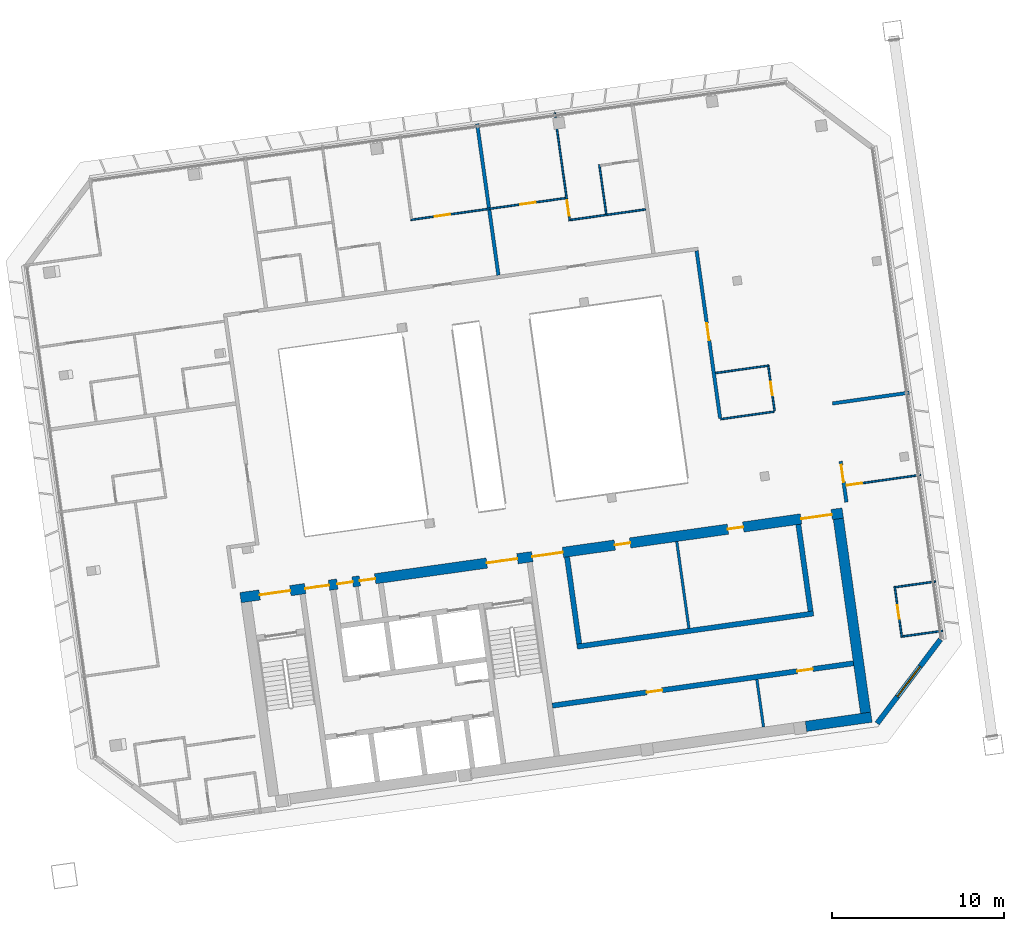
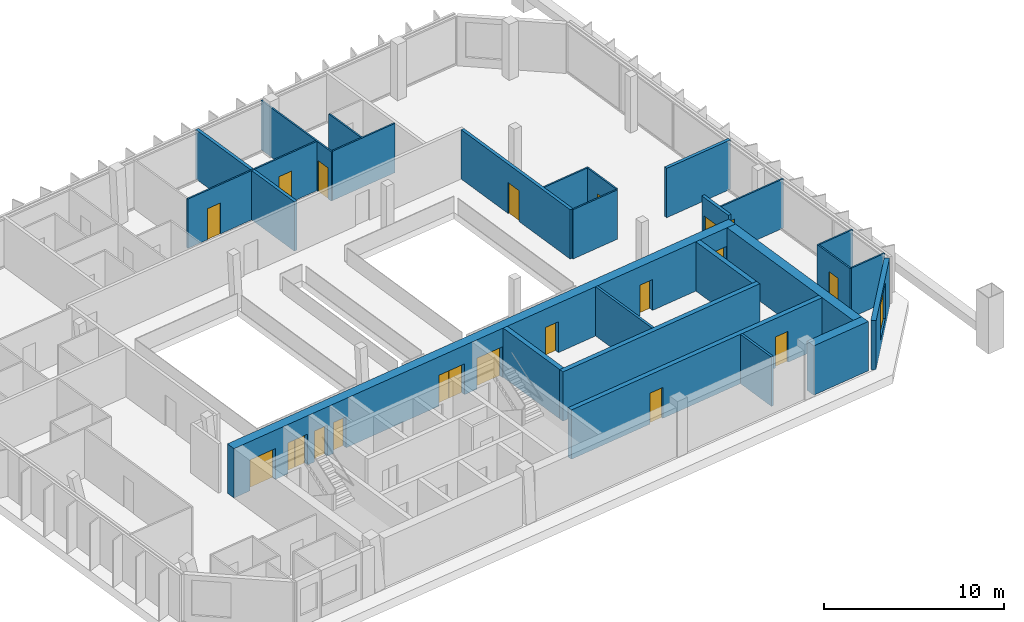
# One storey, part 20 of 26: 25 walls, 19 doors, 1 window, 20 openings.
"""IFC4 building model written with IfcOpenShell, lengths in metres."""

from ifc_helpers import new_model, si_unit, direction, frame, frame_2d, origin, place, context, subcontext, project, spatial, rectangle, extrude, material, layer, layer_set, type_object, element, fill, save


model = new_model("IFC4")

# Units and contexts
model_context = context("Model", 3, precision=1e-05, world=origin(), true_north=direction((0.0, 1.0)))
body_context = subcontext(model_context, "Body", "Model", "MODEL_VIEW")
ifc_project = project(units=[si_unit("LENGTHUNIT", "METRE"), si_unit("AREAUNIT", "SQUARE_METRE"), si_unit("VOLUMEUNIT", "CUBIC_METRE"), si_unit("PLANEANGLEUNIT", "RADIAN"), si_unit("MASSUNIT", "GRAM", prefix="KILO")], contexts=[model_context])

# Site, building, storey
site_placement = place(None, origin())
site = spatial("IfcSite", under=ifc_project, at=site_placement, CompositionType="ELEMENT")
building_placement = place(site_placement, origin())
building = spatial("IfcBuilding", under=site, at=building_placement, Name="Mirante Cascada Hotel Towers", CompositionType="ELEMENT")
storey_placement = place(building_placement, frame((0.0, 0.0, 216.6)))
storey = spatial("IfcBuildingStorey", under=building, at=storey_placement, Name="L51", CompositionType="ELEMENT", Elevation=216.6)

# Walls
ifc_material_1 = material(Name="Fire-rated plasterboard on metal studs")
ifc_layer_1 = layer(ifc_material_1, 0.2)
ifc_layer_set_1 = layer_set([ifc_layer_1], Name="Compartment wall 200 EI 120")
wall_type_1 = type_object("IfcWallType", Name="Compartment wall 200 EI 120", PredefinedType="PARTITIONING", material=ifc_layer_set_1)
wall_1_placement = place(storey_placement, frame((70.1059, 3.6365, 0.0), z_axis=(0.0, 0.0, 1.0), x_axis=(0.9902674, 0.1391779, 0.0)))
element("IfcWall", 1, at=wall_1_placement, inside=storey, type_object=wall_type_1, Name="Wall 2-L51-12", PredefinedType="PARTITIONING", context=body_context, shape_type="SweptSolid", body=[
    extrude(rectangle(XDim=4.5, YDim=0.2, at=frame_2d((2.25, 0.0))), origin(), (0.0, 0.0, 1.0), 3.35),
])
wall_2_placement = place(storey_placement, frame((50.6572, 11.1024, 0.0), z_axis=(0.0, 0.0, 1.0), x_axis=(-0.1391684, 0.9902687, 0.0)))
element("IfcWall", 2, at=wall_2_placement, inside=storey, type_object=wall_type_1, Name="Wall 2-L51-48", PredefinedType="PARTITIONING", context=body_context, shape_type="SweptSolid", body=[
    extrude(rectangle(XDim=8.9, YDim=0.2, at=frame_2d((4.45, 0.0))), origin(), (0.0, 0.0, 1.0), 3.35),
])

# Wall, opening, door
wall_3_placement = place(storey_placement, frame((63.5631, 2.7675, 0.0), z_axis=(0.0, 0.0, 1.0), x_axis=(-0.1391682, 0.9902688, 0.0)))
wall_3 = element("IfcWall", 3, at=wall_3_placement, inside=storey, type_object=wall_type_1, Name="Wall 2-L51-52", PredefinedType="PARTITIONING", context=body_context, shape_type="SweptSolid", body=[
    extrude(rectangle(XDim=9.85, YDim=0.2, at=frame_2d((4.925, 0.0))), origin(), (0.0, 0.0, 1.0), 3.35),
])
opening_1_placement = place(wall_3_placement, frame((4.6, 0.0, 0.0)))
opening_1 = element("IfcOpeningElement", 4, at=opening_1_placement, cuts=wall_3, Name="Opening D2-L51-26", PredefinedType="OPENING", context=body_context, shape_type="SweptSolid", body=[
    extrude(rectangle(XDim=1.0, YDim=2.1, at=frame_2d((0.5, 1.05))), frame((0.0, 0.1, 0.0), z_axis=(0.0, -1.0, 0.0), x_axis=(1.0, 0.0, 0.0)), (0.0, 0.0, 1.0), 0.2),
])
ifc_material_2 = material(Name="Fire-rated timber door leaf", Category="wood")
door_type_1 = type_object("IfcDoorType", Name="Entrance door DG1 1000x2100 EI 60", OperationType="SINGLE_SWING_LEFT", PredefinedType="DOOR", material=ifc_material_2)
door_1_placement = place(opening_1_placement, frame((1.0, 0.0, 0.0), z_axis=(0.0, 0.0, 1.0), x_axis=(-1.0, 0.0, 0.0)))
door_1 = element("IfcDoor", 5, at=door_1_placement, inside=storey, type_object=door_type_1, Name="Door D2-L51-26", OperationType="SINGLE_SWING_RIGHT", OverallHeight=2.1, OverallWidth=1.0, PredefinedType="DOOR", context=body_context, shape_type="SweptSolid", body=[
    extrude(rectangle(XDim=1.0, YDim=2.1, at=frame_2d((0.5, 1.05))), frame((0.0, 0.025, 0.0), z_axis=(0.0, -1.0, 0.0), x_axis=(1.0, 0.0, 0.0)), (0.0, 0.0, 1.0), 0.05),
])
fill(opening_1, door_1)

wall_4_placement = place(storey_placement, frame((70.9131, -2.107, 0.0), z_axis=(0.0, 0.0, 1.0), x_axis=(-0.1392101, 0.9902629, 0.0)))
wall_4 = element("IfcWall", 6, at=wall_4_placement, inside=storey, type_object=wall_type_1, Name="Wall 2-L51-54", PredefinedType="PARTITIONING", context=body_context, shape_type="SweptSolid", body=[
    extrude(rectangle(XDim=2.4, YDim=0.2, at=frame_2d((1.2, 0.0))), origin(), (0.0, 0.0, 1.0), 3.35),
])
opening_2_placement = place(wall_4_placement, frame((1.1833, 0.0, 0.0)))
opening_2 = element("IfcOpeningElement", 7, at=opening_2_placement, cuts=wall_4, Name="Opening D2-L51-28", PredefinedType="OPENING", context=body_context, shape_type="SweptSolid", body=[
    extrude(rectangle(XDim=1.0, YDim=2.1, at=frame_2d((0.5, 1.05))), frame((0.0, 0.1, 0.0), z_axis=(0.0, -1.0, 0.0), x_axis=(1.0, 0.0, 0.0)), (0.0, 0.0, 1.0), 0.2),
])
door_2_placement = place(opening_2_placement, frame((1.0, 0.0, 0.0), z_axis=(0.0, 0.0, 1.0), x_axis=(-1.0, 0.0, 0.0)))
door_2 = element("IfcDoor", 8, at=door_2_placement, inside=storey, type_object=door_type_1, Name="Door D2-L51-28", OperationType="SINGLE_SWING_RIGHT", OverallHeight=2.1, OverallWidth=1.0, PredefinedType="DOOR", context=body_context, shape_type="SweptSolid", body=[
    extrude(rectangle(XDim=1.0, YDim=2.1, at=frame_2d((0.5, 1.05))), frame((0.0, 0.025, 0.0), z_axis=(0.0, -1.0, 0.0), x_axis=(1.0, 0.0, 0.0)), (0.0, 0.0, 1.0), 0.05),
])
fill(opening_2, door_2)

# Walls
ifc_material_3 = material(Name="Masonry block", Category="masonry")
ifc_layer_2 = layer(ifc_material_3, 0.15)
ifc_layer_set_2 = layer_set([ifc_layer_2], Name="Core room partition 150 block EI 30")
wall_type_2 = type_object("IfcWallType", Name="Core room partition 150 block EI 30", PredefinedType="PARTITIONING", material=ifc_layer_set_2)
wall_5_placement = place(storey_placement, frame((66.0891, -15.2059, 0.0), z_axis=(0.0, 0.0, 1.0), x_axis=(-0.139176, 0.9902677, 0.0)))
element("IfcWall", 9, at=wall_5_placement, inside=storey, type_object=wall_type_2, Name="Core wall partition T2 L51 6", PredefinedType="PARTITIONING", context=body_context, shape_type="SweptSolid", body=[
    extrude(rectangle(XDim=2.8001, YDim=0.15, at=frame_2d((1.4, 0.0))), origin(), (0.0, 0.0, 1.0), 3.35),
])
wall_6_placement = place(storey_placement, frame((61.7464, -9.4543, 0.0), z_axis=(0.0, 0.0, 1.0), x_axis=(-0.1391755, 0.9902677, 0.0)))
element("IfcWall", 10, at=wall_6_placement, inside=storey, type_object=wall_type_2, Name="Core wall partition T2 L51 7", PredefinedType="PARTITIONING", context=body_context, shape_type="SweptSolid", body=[
    extrude(rectangle(XDim=5.1, YDim=0.15, at=frame_2d((2.55, 0.0))), origin(), (0.0, 0.0, 1.0), 3.35),
])

# Wall, openings, doors
ifc_material_4 = material(Name="Masonry block", Category="masonry")
ifc_layer_3 = layer(ifc_material_4, 0.3)
ifc_layer_set_3 = layer_set([ifc_layer_3], Name="Core wall 300 block EI 120")
wall_type_3 = type_object("IfcWallType", Name="Core wall 300 block EI 120", PredefinedType="PARTITIONING", material=ifc_layer_set_3)
wall_7_placement = place(storey_placement, frame((53.7953, -13.9547, 0.0), z_axis=(0.0, 0.0, 1.0), x_axis=(0.9902678, 0.1391747, 0.0)))
wall_7 = element("IfcWall", 11, at=wall_7_placement, inside=storey, type_object=wall_type_3, Name="Core wall partition T2 L51 5", PredefinedType="PARTITIONING", context=body_context, shape_type="SweptSolid", body=[
    extrude(rectangle(XDim=17.7001, YDim=0.3, at=frame_2d((8.85, 0.0))), origin(), (0.0, 0.0, 1.0), 3.35),
])
opening_3_placement = place(wall_7_placement, frame((5.55, 0.0, 0.0)))
opening_3 = element("IfcOpeningElement", 12, at=opening_3_placement, cuts=wall_7, Name="Opening D2-51-C18", PredefinedType="OPENING", context=body_context, shape_type="SweptSolid", body=[
    extrude(rectangle(XDim=0.9, YDim=2.1, at=frame_2d((0.45, 1.05))), frame((0.0, 0.15, 0.0), z_axis=(0.0, -1.0, 0.0), x_axis=(1.0, 0.0, 0.0)), (0.0, 0.0, 1.0), 0.3),
])
opening_4_placement = place(wall_7_placement, frame((14.4, 0.0, 0.0)))
opening_4 = element("IfcOpeningElement", 13, at=opening_4_placement, cuts=wall_7, Name="Opening D2-51-C19", PredefinedType="OPENING", context=body_context, shape_type="SweptSolid", body=[
    extrude(rectangle(XDim=0.9, YDim=2.1, at=frame_2d((0.45, 1.05))), frame((0.0, 0.15, 0.0), z_axis=(0.0, -1.0, 0.0), x_axis=(1.0, 0.0, 0.0)), (0.0, 0.0, 1.0), 0.3),
])
ifc_material_5 = material(Name="Hollow metal fire door leaf")
door_type_2 = type_object("IfcDoorType", Name="Fire door 900x2100 FD60", OperationType="NOTDEFINED", PredefinedType="DOOR", material=ifc_material_5)
door_3_placement = place(opening_3_placement, frame((0.9, 0.0, 0.0), z_axis=(0.0, 0.0, 1.0), x_axis=(-1.0, 0.0, 0.0)))
door_3 = element("IfcDoor", 14, at=door_3_placement, inside=storey, type_object=door_type_2, Name="Room door T2 L51 18", OperationType="SINGLE_SWING_LEFT", OverallHeight=2.1, OverallWidth=0.9, PredefinedType="DOOR", context=body_context, shape_type="SweptSolid", body=[
    extrude(rectangle(XDim=0.9, YDim=2.1, at=frame_2d((0.45, 1.05))), frame((0.0, 0.025, 0.0), z_axis=(0.0, -1.0, 0.0), x_axis=(1.0, 0.0, 0.0)), (0.0, 0.0, 1.0), 0.05),
])
fill(opening_3, door_3)
door_4_placement = place(opening_4_placement, frame((0.9, 0.0, 0.0), z_axis=(0.0, 0.0, 1.0), x_axis=(-1.0, 0.0, 0.0)))
door_4 = element("IfcDoor", 15, at=door_4_placement, inside=storey, type_object=door_type_2, Name="Room door T2 L51 19", OperationType="SINGLE_SWING_RIGHT", OverallHeight=2.1, OverallWidth=0.9, PredefinedType="DOOR", context=body_context, shape_type="SweptSolid", body=[
    extrude(rectangle(XDim=0.9, YDim=2.1, at=frame_2d((0.45, 1.05))), frame((0.0, 0.025, 0.0), z_axis=(0.0, -1.0, 0.0), x_axis=(1.0, 0.0, 0.0)), (0.0, 0.0, 1.0), 0.05),
])
fill(opening_4, door_4)

# Walls
ifc_material_6 = material(Name="Plasterboard on metal studs")
ifc_layer_4 = layer(ifc_material_6, 0.1)
ifc_layer_set_4 = layer_set([ifc_layer_4], Name="Partition 100")
wall_type_4 = type_object("IfcWallType", Name="Partition 100", PredefinedType="PARTITIONING", material=ifc_layer_set_4)
for number, where, z_axis, x_axis, name in (
    (16, (76.5105, -9.601, 0.0), (0.0, 0.0, 1.0), (-0.9902712, -0.1391512, 0.0), "Wall 2-L51-05"),
    (17, (73.7798, -7.0562, 0.0), (0.0, 0.0, 1.0), (0.9902712, 0.1391512, 0.0), "Wall 2-L51-06"),
):
    element("IfcWall", number, at=place(storey_placement, frame(where, z_axis=z_axis, x_axis=x_axis)), inside=storey, type_object=wall_type_4, Name=name, PredefinedType="PARTITIONING", context=body_context, shape_type="SweptSolid", body=[
        extrude(rectangle(XDim=2.35, YDim=0.1, at=frame_2d((1.175, 0.0))), origin(), (0.0, 0.0, 1.0), 3.35),
    ])

# Wall, opening, door
wall_8_placement = place(storey_placement, frame((70.8775, -1.1358, 0.0), z_axis=(0.0, 0.0, 1.0), x_axis=(0.9902701, 0.1391587, 0.0)))
wall_8 = element("IfcWall", 18, at=wall_8_placement, inside=storey, type_object=wall_type_4, Name="Wall 2-L51-08", PredefinedType="PARTITIONING", context=body_context, shape_type="SweptSolid", body=[
    extrude(rectangle(XDim=4.4, YDim=0.1, at=frame_2d((2.2, 0.0))), origin(), (0.0, 0.0, 1.0), 3.35),
])
opening_5_placement = place(wall_8_placement, frame((0.05, 0.0, 0.0)))
opening_5 = element("IfcOpeningElement", 19, at=opening_5_placement, cuts=wall_8, Name="Opening D2-L51-03", PredefinedType="OPENING", context=body_context, shape_type="SweptSolid", body=[
    extrude(rectangle(XDim=0.9, YDim=2.1, at=frame_2d((0.45, 1.05))), frame((0.0, 0.05, 0.0), z_axis=(0.0, -1.0, 0.0), x_axis=(1.0, 0.0, 0.0)), (0.0, 0.0, 1.0), 0.1),
])
ifc_material_7 = material(Name="Timber door leaf", Category="wood")
door_type_3 = type_object("IfcDoorType", Name="Room door DG3 900x2100", OperationType="SINGLE_SWING_LEFT", PredefinedType="DOOR", material=ifc_material_7)
door_5_placement = place(opening_5_placement, frame((0.9, 0.0, 0.0), z_axis=(0.0, 0.0, 1.0), x_axis=(-1.0, 0.0, 0.0)))
door_5 = element("IfcDoor", 20, at=door_5_placement, inside=storey, type_object=door_type_3, Name="Door D2-L51-03", OperationType="SINGLE_SWING_RIGHT", OverallHeight=2.1, OverallWidth=0.9, PredefinedType="DOOR", context=body_context, shape_type="SweptSolid", body=[
    extrude(rectangle(XDim=0.9, YDim=2.1, at=frame_2d((0.45, 1.05))), frame((0.0, 0.025, 0.0), z_axis=(0.0, -1.0, 0.0), x_axis=(1.0, 0.0, 0.0)), (0.0, 0.0, 1.0), 0.05),
])
fill(opening_5, door_5)

# Walls
wall_9_placement = place(storey_placement, frame((66.7092, 3.1591, 0.0), z_axis=(0.0, 0.0, 1.0), x_axis=(-0.990268, -0.1391738, 0.0)))
element("IfcWall", 21, at=wall_9_placement, inside=storey, type_object=wall_type_4, Name="Wall 2-L51-11", PredefinedType="PARTITIONING", context=body_context, shape_type="SweptSolid", body=[
    extrude(rectangle(XDim=3.14, YDim=0.1, at=frame_2d((1.57, 0.0))), origin(), (0.0, 0.0, 1.0), 3.35),
])
wall_10_placement = place(storey_placement, frame((63.2933, 5.4056, 0.0), z_axis=(0.0, 0.0, 1.0), x_axis=(0.9902682, 0.1391721, 0.0)))
element("IfcWall", 22, at=wall_10_placement, inside=storey, type_object=wall_type_4, Name="Wall 2-L51-14", PredefinedType="PARTITIONING", context=body_context, shape_type="SweptSolid", body=[
    extrude(rectangle(XDim=3.1501, YDim=0.1, at=frame_2d((1.575, 0.0))), origin(), (0.0, 0.0, 1.0), 3.35),
])
wall_11_placement = place(storey_placement, frame((54.8557, 14.318, 0.0), z_axis=(0.0, 0.0, 1.0), x_axis=(0.990267, 0.1391804, 0.0)))
element("IfcWall", 23, at=wall_11_placement, inside=storey, type_object=wall_type_4, Name="Wall 2-L51-20", PredefinedType="PARTITIONING", context=body_context, shape_type="SweptSolid", body=[
    extrude(rectangle(XDim=4.4051, YDim=0.1, at=frame_2d((2.2026, 0.0))), origin(), (0.0, 0.0, 1.0), 3.35),
])

# Wall, openings, doors
wall_12_placement = place(storey_placement, frame((54.5757, 15.5915, 0.0), z_axis=(0.0, 0.0, 1.0), x_axis=(-0.9902677, -0.1391758, 0.0)))
wall_12 = element("IfcWall", 24, at=wall_12_placement, inside=storey, type_object=wall_type_4, Name="Wall 2-L51-23", PredefinedType="PARTITIONING", context=body_context, shape_type="SweptSolid", body=[
    extrude(rectangle(XDim=9.1101, YDim=0.1, at=frame_2d((4.555, 0.0))), origin(), (0.0, 0.0, 1.0), 3.35),
])
opening_6_placement = place(wall_12_placement, frame((6.8051, 0.0, 0.0)))
opening_6 = element("IfcOpeningElement", 25, at=opening_6_placement, cuts=wall_12, Name="Opening D2-L51-11", PredefinedType="OPENING", context=body_context, shape_type="SweptSolid", body=[
    extrude(rectangle(XDim=0.9, YDim=2.1, at=frame_2d((0.45, 1.05))), frame((0.0, 0.05, 0.0), z_axis=(0.0, -1.0, 0.0), x_axis=(1.0, 0.0, 0.0)), (0.0, 0.0, 1.0), 0.1),
])
opening_7_placement = place(wall_12_placement, frame((1.7775, 0.0, 0.0)))
opening_7 = element("IfcOpeningElement", 26, at=opening_7_placement, cuts=wall_12, Name="Opening D2-L51-12", PredefinedType="OPENING", context=body_context, shape_type="SweptSolid", body=[
    extrude(rectangle(XDim=0.9, YDim=2.1, at=frame_2d((0.45, 1.05))), frame((0.0, 0.05, 0.0), z_axis=(0.0, -1.0, 0.0), x_axis=(1.0, 0.0, 0.0)), (0.0, 0.0, 1.0), 0.1),
])
door_6_placement = place(opening_6_placement, frame((0.9, 0.0, 0.0), z_axis=(0.0, 0.0, 1.0), x_axis=(-1.0, 0.0, 0.0)))
door_6 = element("IfcDoor", 27, at=door_6_placement, inside=storey, type_object=door_type_3, Name="Door D2-L51-11", OperationType="SINGLE_SWING_RIGHT", OverallHeight=2.1, OverallWidth=0.9, PredefinedType="DOOR", context=body_context, shape_type="SweptSolid", body=[
    extrude(rectangle(XDim=0.9, YDim=2.1, at=frame_2d((0.45, 1.05))), frame((0.0, 0.025, 0.0), z_axis=(0.0, -1.0, 0.0), x_axis=(1.0, 0.0, 0.0)), (0.0, 0.0, 1.0), 0.05),
])
fill(opening_6, door_6)
door_7_placement = place(opening_7_placement, origin())
door_7 = element("IfcDoor", 28, at=door_7_placement, inside=storey, type_object=door_type_3, Name="Door D2-L51-12", OperationType="SINGLE_SWING_LEFT", OverallHeight=2.1, OverallWidth=0.9, PredefinedType="DOOR", context=body_context, shape_type="SweptSolid", body=[
    extrude(rectangle(XDim=0.9, YDim=2.1, at=frame_2d((0.45, 1.05))), frame((0.0, 0.025, 0.0), z_axis=(0.0, -1.0, 0.0), x_axis=(1.0, 0.0, 0.0)), (0.0, 0.0, 1.0), 0.05),
])
fill(opening_7, door_7)

# Wall, opening, door
wall_13_placement = place(storey_placement, frame((53.9294, 20.5498, 0.0), z_axis=(0.0, 0.0, 1.0), x_axis=(0.1391656, -0.9902691, 0.0)))
wall_13 = element("IfcWall", 29, at=wall_13_placement, inside=storey, type_object=wall_type_4, Name="Wall 2-L51-49", PredefinedType="PARTITIONING", context=body_context, shape_type="SweptSolid", body=[
    extrude(rectangle(XDim=6.35, YDim=0.1, at=frame_2d((3.175, 0.0))), origin(), (0.0, 0.0, 1.0), 3.35),
])
opening_8_placement = place(wall_13_placement, frame((5.15, 0.0, 0.0)))
opening_8 = element("IfcOpeningElement", 30, at=opening_8_placement, cuts=wall_13, Name="Opening D2-L51-25", PredefinedType="OPENING", context=body_context, shape_type="SweptSolid", body=[
    extrude(rectangle(XDim=0.9, YDim=2.1, at=frame_2d((0.45, 1.05))), frame((0.0, 0.05, 0.0), z_axis=(0.0, -1.0, 0.0), x_axis=(1.0, 0.0, 0.0)), (0.0, 0.0, 1.0), 0.1),
])
door_8_placement = place(opening_8_placement, frame((0.9, 0.0, 0.0), z_axis=(0.0, 0.0, 1.0), x_axis=(-1.0, 0.0, 0.0)))
door_8 = element("IfcDoor", 31, at=door_8_placement, inside=storey, type_object=door_type_3, Name="Door D2-L51-25", OperationType="SINGLE_SWING_RIGHT", OverallHeight=2.1, OverallWidth=0.9, PredefinedType="DOOR", context=body_context, shape_type="SweptSolid", body=[
    extrude(rectangle(XDim=0.9, YDim=2.1, at=frame_2d((0.45, 1.05))), frame((0.0, 0.025, 0.0), z_axis=(0.0, -1.0, 0.0), x_axis=(1.0, 0.0, 0.0)), (0.0, 0.0, 1.0), 0.05),
])
fill(opening_8, door_8)

# Wall
wall_14_placement = place(storey_placement, frame((56.9333, 14.6605, 0.0), z_axis=(0.0, 0.0, 1.0), x_axis=(-0.1391714, 0.9902683, 0.0)))
element("IfcWall", 32, at=wall_14_placement, inside=storey, type_object=wall_type_4, Name="Wall 2-L51-50", PredefinedType="PARTITIONING", context=body_context, shape_type="SweptSolid", body=[
    extrude(rectangle(XDim=2.9, YDim=0.1, at=frame_2d((1.45, 0.0))), origin(), (0.0, 0.0, 1.0), 3.35),
])

# Wall, opening, door
wall_15_placement = place(storey_placement, frame((66.3701, 5.7875, 0.0), z_axis=(0.0, 0.0, 1.0), x_axis=(0.1391918, -0.9902654, 0.0)))
wall_15 = element("IfcWall", 33, at=wall_15_placement, inside=storey, type_object=wall_type_4, Name="Wall 2-L51-53", PredefinedType="PARTITIONING", context=body_context, shape_type="SweptSolid", body=[
    extrude(rectangle(XDim=2.6, YDim=0.1, at=frame_2d((1.3, 0.0))), origin(), (0.0, 0.0, 1.0), 3.35),
])
opening_9_placement = place(wall_15_placement, frame((0.9, 0.0, 0.0)))
opening_9 = element("IfcOpeningElement", 34, at=opening_9_placement, cuts=wall_15, Name="Opening D2-L51-27", PredefinedType="OPENING", context=body_context, shape_type="SweptSolid", body=[
    extrude(rectangle(XDim=0.8, YDim=2.1, at=frame_2d((0.4, 1.05))), frame((0.0, 0.05, 0.0), z_axis=(0.0, -1.0, 0.0), x_axis=(1.0, 0.0, 0.0)), (0.0, 0.0, 1.0), 0.1),
])
ifc_material_8 = material(Name="Timber door leaf", Category="wood")
door_type_4 = type_object("IfcDoorType", Name="Bathroom door DG4 800x2100", OperationType="SINGLE_SWING_LEFT", PredefinedType="DOOR", material=ifc_material_8)
door_9_placement = place(opening_9_placement, origin())
door_9 = element("IfcDoor", 35, at=door_9_placement, inside=storey, type_object=door_type_4, Name="Door D2-L51-27", OperationType="SINGLE_SWING_LEFT", OverallHeight=2.1, OverallWidth=0.8, PredefinedType="DOOR", context=body_context, shape_type="SweptSolid", body=[
    extrude(rectangle(XDim=0.8, YDim=2.1, at=frame_2d((0.4, 1.05))), frame((0.0, 0.025, 0.0), z_axis=(0.0, -1.0, 0.0), x_axis=(1.0, 0.0, 0.0)), (0.0, 0.0, 1.0), 0.05),
])
fill(opening_9, door_9)

wall_16_placement = place(storey_placement, frame((73.7233, -7.0137, 0.0), z_axis=(0.0, 0.0, 1.0), x_axis=(0.139167, -0.9902689, 0.0)))
wall_16 = element("IfcWall", 36, at=wall_16_placement, inside=storey, type_object=wall_type_4, Name="Wall 2-L51-55", PredefinedType="PARTITIONING", context=body_context, shape_type="SweptSolid", body=[
    extrude(rectangle(XDim=3.0, YDim=0.1, at=frame_2d((1.5, 0.0))), origin(), (0.0, 0.0, 1.0), 3.35),
])
opening_10_placement = place(wall_16_placement, frame((1.1, 0.0, 0.0)))
opening_10 = element("IfcOpeningElement", 37, at=opening_10_placement, cuts=wall_16, Name="Opening D2-L51-29", PredefinedType="OPENING", context=body_context, shape_type="SweptSolid", body=[
    extrude(rectangle(XDim=0.8, YDim=2.1, at=frame_2d((0.4, 1.05))), frame((0.0, 0.05, 0.0), z_axis=(0.0, -1.0, 0.0), x_axis=(1.0, 0.0, 0.0)), (0.0, 0.0, 1.0), 0.1),
])
door_10_placement = place(opening_10_placement, frame((0.8, 0.0, 0.0), z_axis=(0.0, 0.0, 1.0), x_axis=(-1.0, 0.0, 0.0)))
door_10 = element("IfcDoor", 38, at=door_10_placement, inside=storey, type_object=door_type_4, Name="Door D2-L51-29", OperationType="SINGLE_SWING_RIGHT", OverallHeight=2.1, OverallWidth=0.8, PredefinedType="DOOR", context=body_context, shape_type="SweptSolid", body=[
    extrude(rectangle(XDim=0.8, YDim=2.1, at=frame_2d((0.4, 1.05))), frame((0.0, 0.025, 0.0), z_axis=(0.0, -1.0, 0.0), x_axis=(1.0, 0.0, 0.0)), (0.0, 0.0, 1.0), 0.05),
])
fill(opening_10, door_10)

# Wall, opening, window
ifc_material_9 = material(Name="Precast concrete C40/50", Category="concrete")
ifc_layer_5 = layer(ifc_material_9, 0.3)
ifc_layer_set_5 = layer_set([ifc_layer_5], Name="Precast concrete C40/50 cladding wall 300")
wall_type_5 = type_object("IfcWallType", Name="Precast concrete C40/50 cladding wall 300", PredefinedType="STANDARD", material=ifc_layer_set_5)
wall_17_placement = place(storey_placement, frame((72.7051, -14.9892, 0.0), z_axis=(0.0, 0.0, 1.0), x_axis=(0.6018141, 0.7986362, 0.0)))
wall_17 = element("IfcWall", 39, at=wall_17_placement, inside=storey, type_object=wall_type_5, Name="Corner cladding wall T2 L51 rear outer", PredefinedType="STANDARD", context=body_context, shape_type="SweptSolid", body=[
    extrude(rectangle(XDim=6.1157, YDim=0.3, at=frame_2d((3.0578, 0.0))), origin(), (0.0, 0.0, 1.0), 3.35),
])
opening_11_placement = place(wall_17_placement, frame((1.9578, 0.0, 0.6)))
opening_11 = element("IfcOpeningElement", 40, at=opening_11_placement, cuts=wall_17, Name="Opening W2-51-02", PredefinedType="OPENING", context=body_context, shape_type="SweptSolid", body=[
    extrude(rectangle(XDim=2.2, YDim=2.4, at=frame_2d((1.1, 1.2))), frame((0.0, 0.15, 0.0), z_axis=(0.0, -1.0, 0.0), x_axis=(1.0, 0.0, 0.0)), (0.0, 0.0, 1.0), 0.3),
])
ifc_material_10 = material(Name="Aluminium frame with clear double glazing", Category="aluminium")
window_type = type_object("IfcWindowType", Name="Corner suite window 2200x2400", PartitioningType="DOUBLE_PANEL_VERTICAL", PredefinedType="WINDOW", material=ifc_material_10)
window_placement = place(opening_11_placement, origin())
window = element("IfcWindow", 41, at=window_placement, inside=storey, type_object=window_type, Name="Window W2-51-02", OverallHeight=2.4, OverallWidth=2.2, PartitioningType="SINGLE_PANEL", PredefinedType="WINDOW", context=body_context, shape_type="SweptSolid", body=[
    extrude(rectangle(XDim=2.2, YDim=2.4, at=frame_2d((1.1, 1.2))), frame((0.0, 0.03, 0.0), z_axis=(0.0, -1.0, 0.0), x_axis=(1.0, 0.0, 0.0)), (0.0, 0.0, 1.0), 0.06),
])
fill(opening_11, window)

# Walls
ifc_material_11 = material(Name="Concrete C50/60", Category="concrete")
ifc_layer_6 = layer(ifc_material_11, 0.3)
ifc_layer_set_6 = layer_set([ifc_layer_6], Name="RC core wall 300 C50/60")
wall_type_6 = type_object("IfcWallType", Name="RC core wall 300 C50/60", PredefinedType="SHEAR", material=ifc_layer_set_6)
wall_18_placement = place(storey_placement, frame((55.2315, -10.5214, 0.0), z_axis=(0.0, 0.0, 1.0), x_axis=(0.9902681, 0.1391729, 0.0)))
element("IfcWall", 42, at=wall_18_placement, inside=storey, type_object=wall_type_6, Name="Core wall T2:L51:25", PredefinedType="SHEAR", context=body_context, shape_type="SweptSolid", body=[
    extrude(rectangle(XDim=13.9, YDim=0.3, at=frame_2d((6.95, 0.0))), origin(), (0.0, 0.0, 1.0), 3.35),
])
for number, where, z_axis, x_axis, name in (
    (43, (55.3592, -10.352, 0.0), (0.0, 0.0, 1.0), (-0.1391755, 0.9902677, 0.0), "Core wall T2:L51:26"),
    (44, (68.8268, -8.4592, 0.0), (0.0, 0.0, 1.0), (-0.1391755, 0.9902677, 0.0), "Core wall T2:L51:27"),
):
    element("IfcWall", number, at=place(storey_placement, frame(where, z_axis=z_axis, x_axis=x_axis)), inside=storey, type_object=wall_type_6, Name=name, PredefinedType="SHEAR", context=body_context, shape_type="SweptSolid", body=[
        extrude(rectangle(XDim=5.1, YDim=0.3, at=frame_2d((2.55, 0.0))), origin(), (0.0, 0.0, 1.0), 3.35),
    ])
ifc_material_12 = material(Name="Concrete C50/60", Category="concrete")
ifc_layer_7 = layer(ifc_material_12, 0.6)
ifc_layer_set_7 = layer_set([ifc_layer_7], Name="RC core wall 600 C50/60")
wall_type_7 = type_object("IfcWallType", Name="RC core wall 600 C50/60", PredefinedType="SHEAR", material=ifc_layer_set_7)
wall_19_placement = place(storey_placement, frame((68.557, -15.162, 0.0), z_axis=(0.0, 0.0, 1.0), x_axis=(0.990269, 0.1391665, 0.0)))
element("IfcWall", 45, at=wall_19_placement, inside=storey, type_object=wall_type_7, Name="Core wall T2:L51:1.4", PredefinedType="SHEAR", context=body_context, shape_type="SweptSolid", body=[
    extrude(rectangle(XDim=3.8501, YDim=0.6, at=frame_2d((1.925, 0.0))), origin(), (0.0, 0.0, 1.0), 3.35),
])

# Wall, openings, doors
wall_20_placement = place(storey_placement, frame((35.644, -7.6697, 0.0), z_axis=(0.0, 0.0, 1.0), x_axis=(0.9902682, 0.1391723, 0.0)))
wall_20 = element("IfcWall", 46, at=wall_20_placement, inside=storey, type_object=wall_type_7, Name="Core wall T2:L51:2", PredefinedType="SHEAR", context=body_context, shape_type="SweptSolid", body=[
    extrude(rectangle(XDim=35.4, YDim=0.6, at=frame_2d((17.7, 0.0))), origin(), (0.0, 0.0, 1.0), 3.35),
])
opening_12_placement = place(wall_20_placement, frame((1.125, 0.0, 0.0)))
opening_12 = element("IfcOpeningElement", 47, at=opening_12_placement, cuts=wall_20, Name="Opening D2-51-C08", PredefinedType="OPENING", context=body_context, shape_type="SweptSolid", body=[
    extrude(rectangle(XDim=1.8, YDim=2.1, at=frame_2d((0.9, 1.05))), frame((0.0, 0.3, 0.0), z_axis=(0.0, -1.0, 0.0), x_axis=(1.0, 0.0, 0.0)), (0.0, 0.0, 1.0), 0.6),
])
opening_13_placement = place(wall_20_placement, frame((14.475, 0.0, 0.0)))
opening_13 = element("IfcOpeningElement", 48, at=opening_13_placement, cuts=wall_20, Name="Opening D2-51-C10", PredefinedType="OPENING", context=body_context, shape_type="SweptSolid", body=[
    extrude(rectangle(XDim=1.8, YDim=2.1, at=frame_2d((0.9, 1.05))), frame((0.0, 0.3, 0.0), z_axis=(0.0, -1.0, 0.0), x_axis=(1.0, 0.0, 0.0)), (0.0, 0.0, 1.0), 0.6),
])
opening_14_placement = place(wall_20_placement, frame((3.8, 0.0, 0.0)))
opening_14 = element("IfcOpeningElement", 49, at=opening_14_placement, cuts=wall_20, Name="Opening D2-51-C11", PredefinedType="OPENING", context=body_context, shape_type="SweptSolid", body=[
    extrude(rectangle(XDim=1.4, YDim=2.1, at=frame_2d((0.7, 1.05))), frame((0.0, 0.3, 0.0), z_axis=(0.0, -1.0, 0.0), x_axis=(1.0, 0.0, 0.0)), (0.0, 0.0, 1.0), 0.6),
])
opening_15_placement = place(wall_20_placement, frame((17.15, 0.0, 0.0)))
opening_15 = element("IfcOpeningElement", 50, at=opening_15_placement, cuts=wall_20, Name="Opening D2-51-C12", PredefinedType="OPENING", context=body_context, shape_type="SweptSolid", body=[
    extrude(rectangle(XDim=1.8, YDim=2.1, at=frame_2d((0.9, 1.05))), frame((0.0, 0.3, 0.0), z_axis=(0.0, -1.0, 0.0), x_axis=(1.0, 0.0, 0.0)), (0.0, 0.0, 1.0), 0.6),
])
opening_16_placement = place(wall_20_placement, frame((32.95, 0.0, 0.0)))
opening_16 = element("IfcOpeningElement", 51, at=opening_16_placement, cuts=wall_20, Name="Opening D2-51-C13", PredefinedType="OPENING", context=body_context, shape_type="SweptSolid", body=[
    extrude(rectangle(XDim=1.8, YDim=2.1, at=frame_2d((0.9, 1.05))), frame((0.0, 0.3, 0.0), z_axis=(0.0, -1.0, 0.0), x_axis=(1.0, 0.0, 0.0)), (0.0, 0.0, 1.0), 0.6),
])
opening_17_placement = place(wall_20_placement, frame((5.6875, 0.0, 0.0)))
opening_17 = element("IfcOpeningElement", 52, at=opening_17_placement, cuts=wall_20, Name="Opening D2-51-C16", PredefinedType="OPENING", context=body_context, shape_type="SweptSolid", body=[
    extrude(rectangle(XDim=0.9, YDim=2.1, at=frame_2d((0.45, 1.05))), frame((0.0, 0.3, 0.0), z_axis=(0.0, -1.0, 0.0), x_axis=(1.0, 0.0, 0.0)), (0.0, 0.0, 1.0), 0.6),
])
opening_18_placement = place(wall_20_placement, frame((7.0125, 0.0, 0.0)))
opening_18 = element("IfcOpeningElement", 53, at=opening_18_placement, cuts=wall_20, Name="Opening D2-51-C17", PredefinedType="OPENING", context=body_context, shape_type="SweptSolid", body=[
    extrude(rectangle(XDim=0.9, YDim=2.1, at=frame_2d((0.45, 1.05))), frame((0.0, 0.3, 0.0), z_axis=(0.0, -1.0, 0.0), x_axis=(1.0, 0.0, 0.0)), (0.0, 0.0, 1.0), 0.6),
])
opening_19_placement = place(wall_20_placement, frame((22.0, 0.0, 0.0)))
opening_19 = element("IfcOpeningElement", 54, at=opening_19_placement, cuts=wall_20, Name="Opening D2-51-C20", PredefinedType="OPENING", context=body_context, shape_type="SweptSolid", body=[
    extrude(rectangle(XDim=0.9, YDim=2.1, at=frame_2d((0.45, 1.05))), frame((0.0, 0.3, 0.0), z_axis=(0.0, -1.0, 0.0), x_axis=(1.0, 0.0, 0.0)), (0.0, 0.0, 1.0), 0.6),
])
opening_20_placement = place(wall_20_placement, frame((28.65, 0.0, 0.0)))
opening_20 = element("IfcOpeningElement", 55, at=opening_20_placement, cuts=wall_20, Name="Opening D2-51-C21", PredefinedType="OPENING", context=body_context, shape_type="SweptSolid", body=[
    extrude(rectangle(XDim=0.9, YDim=2.1, at=frame_2d((0.45, 1.05))), frame((0.0, 0.3, 0.0), z_axis=(0.0, -1.0, 0.0), x_axis=(1.0, 0.0, 0.0)), (0.0, 0.0, 1.0), 0.6),
])
ifc_material_13 = material(Name="Hollow metal fire door leaf")
door_type_5 = type_object("IfcDoorType", Name="Double fire door 1400x2100 FD60", OperationType="DOUBLE_DOOR_SINGLE_SWING", PredefinedType="DOOR", material=ifc_material_13)
door_11_placement = place(opening_14_placement, origin())
door_11 = element("IfcDoor", 56, at=door_11_placement, inside=storey, type_object=door_type_5, Name="Exit door to gallery T2 L51 11", OperationType="DOUBLE_DOOR_SINGLE_SWING", OverallHeight=2.1, OverallWidth=1.4, PredefinedType="DOOR", context=body_context, shape_type="SweptSolid", body=[
    extrude(rectangle(XDim=0.695, YDim=2.1, at=frame_2d((0.3475, 1.05))), frame((0.0, 0.025, 0.0), z_axis=(0.0, -1.0, 0.0), x_axis=(1.0, 0.0, 0.0)), (0.0, 0.0, 1.0), 0.05),
    extrude(rectangle(XDim=0.695, YDim=2.1, at=frame_2d((1.0525, 1.05))), frame((0.0, 0.025, 0.0), z_axis=(0.0, -1.0, 0.0), x_axis=(1.0, 0.0, 0.0)), (0.0, 0.0, 1.0), 0.05),
])
fill(opening_14, door_11)
ifc_material_14 = material(Name="Hollow metal fire door leaf")
door_type_6 = type_object("IfcDoorType", Name="Double fire door 1800x2100 FD60", OperationType="DOUBLE_DOOR_SINGLE_SWING", PredefinedType="DOOR", material=ifc_material_14)
door_12_placement = place(opening_12_placement, frame((1.8, 0.0, 0.0), z_axis=(0.0, 0.0, 1.0), x_axis=(-1.0, 0.0, 0.0)))
door_12 = element("IfcDoor", 57, at=door_12_placement, inside=storey, type_object=door_type_6, Name="Exit door to gallery T2 L51 8", OperationType="DOUBLE_DOOR_SINGLE_SWING", OverallHeight=2.1, OverallWidth=1.8, PredefinedType="DOOR", context=body_context, shape_type="SweptSolid", body=[
    extrude(rectangle(XDim=0.895, YDim=2.1, at=frame_2d((0.4475, 1.05))), frame((0.0, 0.025, 0.0), z_axis=(0.0, -1.0, 0.0), x_axis=(1.0, 0.0, 0.0)), (0.0, 0.0, 1.0), 0.05),
    extrude(rectangle(XDim=0.895, YDim=2.1, at=frame_2d((1.3525, 1.05))), frame((0.0, 0.025, 0.0), z_axis=(0.0, -1.0, 0.0), x_axis=(1.0, 0.0, 0.0)), (0.0, 0.0, 1.0), 0.05),
])
fill(opening_12, door_12)
door_13_placement = place(opening_13_placement, frame((1.8, 0.0, 0.0), z_axis=(0.0, 0.0, 1.0), x_axis=(-1.0, 0.0, 0.0)))
door_13 = element("IfcDoor", 58, at=door_13_placement, inside=storey, type_object=door_type_6, Name="Exit door to gallery T2 L51 10", OperationType="DOUBLE_DOOR_SINGLE_SWING", OverallHeight=2.1, OverallWidth=1.8, PredefinedType="DOOR", context=body_context, shape_type="SweptSolid", body=[
    extrude(rectangle(XDim=0.895, YDim=2.1, at=frame_2d((0.4475, 1.05))), frame((0.0, 0.025, 0.0), z_axis=(0.0, -1.0, 0.0), x_axis=(1.0, 0.0, 0.0)), (0.0, 0.0, 1.0), 0.05),
    extrude(rectangle(XDim=0.895, YDim=2.1, at=frame_2d((1.3525, 1.05))), frame((0.0, 0.025, 0.0), z_axis=(0.0, -1.0, 0.0), x_axis=(1.0, 0.0, 0.0)), (0.0, 0.0, 1.0), 0.05),
])
fill(opening_13, door_13)
door_14_placement = place(opening_15_placement, origin())
door_14 = element("IfcDoor", 59, at=door_14_placement, inside=storey, type_object=door_type_6, Name="Exit door to gallery T2 L51 12", OperationType="DOUBLE_DOOR_SINGLE_SWING", OverallHeight=2.1, OverallWidth=1.8, PredefinedType="DOOR", context=body_context, shape_type="SweptSolid", body=[
    extrude(rectangle(XDim=0.895, YDim=2.1, at=frame_2d((0.4475, 1.05))), frame((0.0, 0.025, 0.0), z_axis=(0.0, -1.0, 0.0), x_axis=(1.0, 0.0, 0.0)), (0.0, 0.0, 1.0), 0.05),
    extrude(rectangle(XDim=0.895, YDim=2.1, at=frame_2d((1.3525, 1.05))), frame((0.0, 0.025, 0.0), z_axis=(0.0, -1.0, 0.0), x_axis=(1.0, 0.0, 0.0)), (0.0, 0.0, 1.0), 0.05),
])
fill(opening_15, door_14)
door_15_placement = place(opening_16_placement, origin())
door_15 = element("IfcDoor", 60, at=door_15_placement, inside=storey, type_object=door_type_6, Name="Exit door to gallery T2 L51 13", OperationType="DOUBLE_DOOR_SINGLE_SWING", OverallHeight=2.1, OverallWidth=1.8, PredefinedType="DOOR", context=body_context, shape_type="SweptSolid", body=[
    extrude(rectangle(XDim=0.895, YDim=2.1, at=frame_2d((0.4475, 1.05))), frame((0.0, 0.025, 0.0), z_axis=(0.0, -1.0, 0.0), x_axis=(1.0, 0.0, 0.0)), (0.0, 0.0, 1.0), 0.05),
    extrude(rectangle(XDim=0.895, YDim=2.1, at=frame_2d((1.3525, 1.05))), frame((0.0, 0.025, 0.0), z_axis=(0.0, -1.0, 0.0), x_axis=(1.0, 0.0, 0.0)), (0.0, 0.0, 1.0), 0.05),
])
fill(opening_16, door_15)
door_16_placement = place(opening_17_placement, frame((0.9, 0.0, 0.0), z_axis=(0.0, 0.0, 1.0), x_axis=(-1.0, 0.0, 0.0)))
door_16 = element("IfcDoor", 61, at=door_16_placement, inside=storey, type_object=door_type_2, Name="Room door T2 L51 16", OperationType="SINGLE_SWING_LEFT", OverallHeight=2.1, OverallWidth=0.9, PredefinedType="DOOR", context=body_context, shape_type="SweptSolid", body=[
    extrude(rectangle(XDim=0.9, YDim=2.1, at=frame_2d((0.45, 1.05))), frame((0.0, 0.025, 0.0), z_axis=(0.0, -1.0, 0.0), x_axis=(1.0, 0.0, 0.0)), (0.0, 0.0, 1.0), 0.05),
])
fill(opening_17, door_16)
door_17_placement = place(opening_18_placement, frame((0.9, 0.0, 0.0), z_axis=(0.0, 0.0, 1.0), x_axis=(-1.0, 0.0, 0.0)))
door_17 = element("IfcDoor", 62, at=door_17_placement, inside=storey, type_object=door_type_2, Name="Room door T2 L51 17", OperationType="SINGLE_SWING_LEFT", OverallHeight=2.1, OverallWidth=0.9, PredefinedType="DOOR", context=body_context, shape_type="SweptSolid", body=[
    extrude(rectangle(XDim=0.9, YDim=2.1, at=frame_2d((0.45, 1.05))), frame((0.0, 0.025, 0.0), z_axis=(0.0, -1.0, 0.0), x_axis=(1.0, 0.0, 0.0)), (0.0, 0.0, 1.0), 0.05),
])
fill(opening_18, door_17)
door_18_placement = place(opening_19_placement, frame((0.9, 0.0, 0.0), z_axis=(0.0, 0.0, 1.0), x_axis=(-1.0, 0.0, 0.0)))
door_18 = element("IfcDoor", 63, at=door_18_placement, inside=storey, type_object=door_type_2, Name="Room door T2 L51 20", OperationType="SINGLE_SWING_RIGHT", OverallHeight=2.1, OverallWidth=0.9, PredefinedType="DOOR", context=body_context, shape_type="SweptSolid", body=[
    extrude(rectangle(XDim=0.9, YDim=2.1, at=frame_2d((0.45, 1.05))), frame((0.0, 0.025, 0.0), z_axis=(0.0, -1.0, 0.0), x_axis=(1.0, 0.0, 0.0)), (0.0, 0.0, 1.0), 0.05),
])
fill(opening_19, door_18)
door_19_placement = place(opening_20_placement, frame((0.9, 0.0, 0.0), z_axis=(0.0, 0.0, 1.0), x_axis=(-1.0, 0.0, 0.0)))
door_19 = element("IfcDoor", 64, at=door_19_placement, inside=storey, type_object=door_type_2, Name="Room door T2 L51 21", OperationType="SINGLE_SWING_RIGHT", OverallHeight=2.1, OverallWidth=0.9, PredefinedType="DOOR", context=body_context, shape_type="SweptSolid", body=[
    extrude(rectangle(XDim=0.9, YDim=2.1, at=frame_2d((0.45, 1.05))), frame((0.0, 0.025, 0.0), z_axis=(0.0, -1.0, 0.0), x_axis=(1.0, 0.0, 0.0)), (0.0, 0.0, 1.0), 0.05),
])
fill(opening_20, door_19)

# Wall
wall_21_placement = place(storey_placement, frame((72.0307, -14.3708, 0.0), z_axis=(0.0, 0.0, 1.0), x_axis=(-0.1391675, 0.9902689, 0.0)))
element("IfcWall", 65, at=wall_21_placement, inside=storey, type_object=wall_type_7, Name="Core wall T2:L51:4", PredefinedType="SHEAR", context=body_context, shape_type="SweptSolid", body=[
    extrude(rectangle(XDim=11.3999, YDim=0.6, at=frame_2d((5.7, 0.0))), origin(), (0.0, 0.0, 1.0), 3.35),
])

save(model, "model.ifc")
